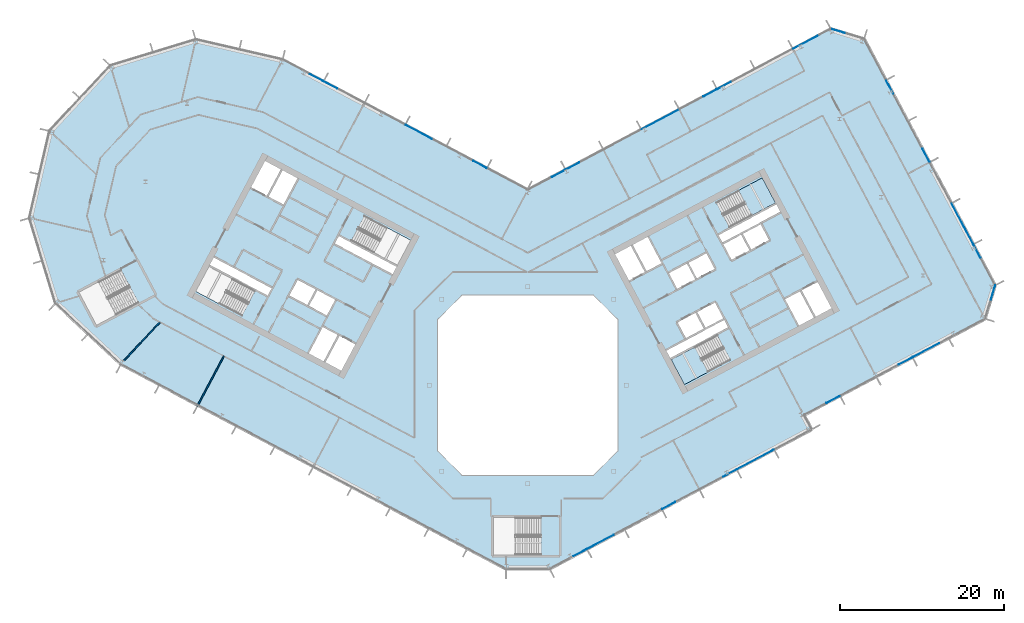
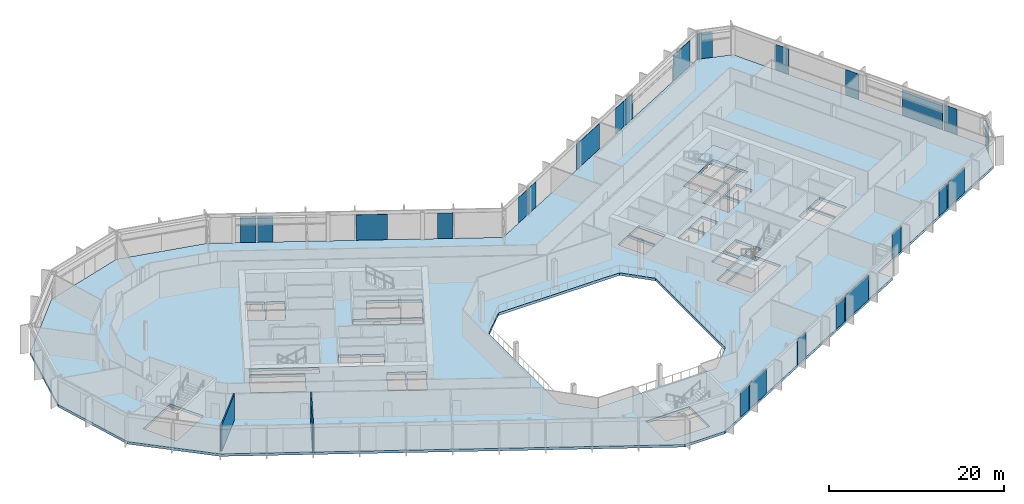
# One storey, part 12 of 28: 24 plates, 3 slabs, 2 walls, 9 elements without a shape of their own.
"""IFC4 building model written with IfcOpenShell, lengths in metres."""

from ifc_helpers import new_model, si_unit, direction, frame, frame_2d, origin, origin_2d, place, context, subcontext, project, spatial, polyline, rectangle, outline, extrude, material, layer, layer_set, type_object, element, aggregate, save


model = new_model("IFC4")

# Units and contexts
model_context = context("Model", 3, precision=1e-05, world=origin(), true_north=direction((0.0, 1.0)))
body_context = subcontext(model_context, "Body", "Model", "MODEL_VIEW")
ifc_project = project(units=[si_unit("LENGTHUNIT", "METRE"), si_unit("AREAUNIT", "SQUARE_METRE"), si_unit("VOLUMEUNIT", "CUBIC_METRE"), si_unit("PLANEANGLEUNIT", "RADIAN"), si_unit("MASSUNIT", "GRAM", prefix="KILO")], contexts=[model_context])

# Site, building, storey
site_placement = place(None, origin())
site = spatial("IfcSite", under=ifc_project, at=site_placement, CompositionType="ELEMENT")
building_placement = place(site_placement, origin())
building = spatial("IfcBuilding", under=site, at=building_placement, Name="Cormorant Relay Tower", CompositionType="ELEMENT")
storey_placement = place(building_placement, frame((0.0, 0.0, 138.199951171875)))
storey = spatial("IfcBuildingStorey", under=building, at=storey_placement, Name="L28", CompositionType="ELEMENT", Elevation=138.199951171875)

# Curtain wall, plates
ifc_material_1 = material(Name="Aluminium 6063-T6 anodised bronze", Category="aluminium")
ifc_layer_1 = layer(ifc_material_1, 0.199951171875)
ifc_layer_set_1 = layer_set([ifc_layer_1], Name="CW1 unitised bronze curtain wall with vertical fins")
curtain_wall_type = type_object("IfcCurtainWallType", Name="CW1 unitised bronze curtain wall with vertical fins", PredefinedType="NOTDEFINED", material=ifc_layer_set_1)
curtain_wall_1_placement = place(storey_placement, origin())
curtain_wall_1 = element("IfcCurtainWall", 1, at=curtain_wall_1_placement, inside=storey, type_object=curtain_wall_type, Name="CW1 curtain wall 2", PredefinedType="NOTDEFINED")
ifc_material_2 = material(Name="Tinted laminated glass", Category="glass")
ifc_layer_2 = layer(ifc_material_2, 0.0400390625)
ifc_layer_set_2 = layer_set([ifc_layer_2], Name="CW1 tinted vision panel 1800 module")
plate_type_1 = type_object("IfcPlateType", Name="CW1 tinted vision panel 1800 module", PredefinedType="CURTAIN_PANEL", material=ifc_layer_set_2)
plate_1_placement = place(storey_placement, frame((6.359130859375, -20.42529296875, 0.0), z_axis=(0.0, 0.0, 1.0), x_axis=(0.882947592859, 0.469471562786, 0.0)))
plate_1 = element("IfcPlate", 2, at=plate_1_placement, type_object=plate_type_1, Name="CW1 panel V01", PredefinedType="CURTAIN_PANEL", context=body_context, shape_type="SweptSolid", body=[
    extrude(rectangle(XDim=1.800048828125, YDim=0.0400390625, at=origin_2d()), origin(), (0.0, 0.0, 1.0), 3.550048828125),
])
plate_2_placement = place(storey_placement, frame((17.20458984375, -14.65869140625, 0.0), z_axis=(0.0, 0.0, 1.0), x_axis=(0.882947592859, 0.469471562786, 0.0)))
plate_2 = element("IfcPlate", 3, at=plate_2_placement, type_object=plate_type_1, Name="CW1 panel V04", PredefinedType="CURTAIN_PANEL", context=body_context, shape_type="SweptSolid", body=[
    extrude(rectangle(XDim=1.800048828125, YDim=0.0400390625, at=origin_2d()), origin(), (0.0, 0.0, 1.0), 3.550048828125),
])
plate_3_placement = place(storey_placement, frame((24.6064453125, -10.72314453125, 0.0), z_axis=(0.0, 0.0, 1.0), x_axis=(0.882947592859, 0.469471562786, 0.0)))
plate_3 = element("IfcPlate", 4, at=plate_3_placement, type_object=plate_type_1, Name="CW1 panel V06", PredefinedType="CURTAIN_PANEL", context=body_context, shape_type="SweptSolid", body=[
    extrude(rectangle(XDim=1.800048828125, YDim=0.0400390625, at=origin_2d()), origin(), (0.0, 0.0, 1.0), 3.550048828125),
])

curtain_wall_2_placement = place(storey_placement, origin())
curtain_wall_2 = element("IfcCurtainWall", 5, at=curtain_wall_2_placement, inside=storey, type_object=curtain_wall_type, Name="CW1 curtain wall 4", PredefinedType="NOTDEFINED")
plate_4_placement = place(storey_placement, frame((37.205810546875, -1.7587890625, 0.0), z_axis=(0.0, 0.0, 1.0), x_axis=(0.882947592859, 0.469471562786, 0.0)))
plate_4 = element("IfcPlate", 6, at=plate_4_placement, type_object=plate_type_1, Name="CW1 panel V01", PredefinedType="CURTAIN_PANEL", context=body_context, shape_type="SweptSolid", body=[
    extrude(rectangle(XDim=1.800048828125, YDim=0.0400390625, at=origin_2d()), origin(), (0.0, 0.0, 1.0), 3.550048828125),
])
plate_5_placement = place(storey_placement, frame((46.03515625, 2.935791015625, 0.0), z_axis=(0.0, 0.0, 1.0), x_axis=(0.882947592859, 0.469471562786, 0.0)))
plate_5 = element("IfcPlate", 7, at=plate_5_placement, type_object=plate_type_1, Name="CW1 panel V03", PredefinedType="CURTAIN_PANEL", context=body_context, shape_type="SweptSolid", body=[
    extrude(rectangle(XDim=1.800048828125, YDim=0.0400390625, at=origin_2d()), origin(), (0.0, 0.0, 1.0), 3.550048828125),
])

# Curtain wall, plate
curtain_wall_3_placement = place(storey_placement, origin())
curtain_wall_3 = element("IfcCurtainWall", 8, at=curtain_wall_3_placement, inside=storey, type_object=curtain_wall_type, Name="CW1 curtain wall 5", PredefinedType="NOTDEFINED")
plate_6_placement = place(storey_placement, frame((56.712646484375, 11.296630859375, 0.0), z_axis=(0.0, 0.0, 1.0), x_axis=(0.292371704723, 0.956304755963, 0.0)))
plate_6 = element("IfcPlate", 9, at=plate_6_placement, type_object=plate_type_1, Name="CW1 panel V01", PredefinedType="CURTAIN_PANEL", context=body_context, shape_type="SweptSolid", body=[
    extrude(rectangle(XDim=1.800048828125, YDim=0.0400390625, at=origin_2d()), origin(), (0.0, 0.0, 1.0), 3.550048828125),
])
aggregate(curtain_wall_3, [plate_6])

# Curtain wall, plates
curtain_wall_4_placement = place(storey_placement, origin())
curtain_wall_4 = element("IfcCurtainWall", 10, at=curtain_wall_4_placement, inside=storey, type_object=curtain_wall_type, Name="CW1 curtain wall 6", PredefinedType="NOTDEFINED")
plate_7_placement = place(storey_placement, frame((54.771728515625, 16.315185546875, 0.0), z_axis=(0.0, 0.0, 1.0), x_axis=(-0.469471562786, 0.882947592859, 0.0)))
plate_7 = element("IfcPlate", 11, at=plate_7_placement, type_object=plate_type_1, Name="CW1 panel V01", PredefinedType="CURTAIN_PANEL", context=body_context, shape_type="SweptSolid", body=[
    extrude(rectangle(XDim=1.800048828125, YDim=0.0400390625, at=origin_2d()), origin(), (0.0, 0.0, 1.0), 3.550048828125),
])
plate_8_placement = place(storey_placement, frame((48.535400390625, 28.043701171875, 0.0), z_axis=(0.0, 0.0, 1.0), x_axis=(-0.469471562786, 0.882947592859, 0.0)))
plate_8 = element("IfcPlate", 12, at=plate_8_placement, type_object=plate_type_1, Name="CW1 panel V04", PredefinedType="CURTAIN_PANEL", context=body_context, shape_type="SweptSolid", body=[
    extrude(rectangle(XDim=1.800048828125, YDim=0.0400390625, at=origin_2d()), origin(), (0.0, 0.0, 1.0), 3.550048828125),
])
plate_9_placement = place(storey_placement, frame((44.13037109375, 36.32861328125, 0.0), z_axis=(0.0, 0.0, 1.0), x_axis=(-0.469471562786, 0.882947592859, 0.0)))
plate_9 = element("IfcPlate", 13, at=plate_9_placement, type_object=plate_type_1, Name="CW1 panel V06", PredefinedType="CURTAIN_PANEL", context=body_context, shape_type="SweptSolid", body=[
    extrude(rectangle(XDim=1.800048828125, YDim=0.0400390625, at=origin_2d()), origin(), (0.0, 0.0, 1.0), 3.550048828125),
])

# Curtain wall, plate
curtain_wall_5_placement = place(storey_placement, origin())
curtain_wall_5 = element("IfcCurtainWall", 14, at=curtain_wall_5_placement, inside=storey, type_object=curtain_wall_type, Name="CW1 curtain wall 7", PredefinedType="NOTDEFINED")
plate_10_placement = place(storey_placement, frame((37.8037109375, 43.179931640625, 0.0), z_axis=(0.0, 0.0, 1.0), x_axis=(-0.956304755963, 0.292371704723, 0.0)))
plate_10 = element("IfcPlate", 15, at=plate_10_placement, type_object=plate_type_1, Name="CW1 panel V01", PredefinedType="CURTAIN_PANEL", context=body_context, shape_type="SweptSolid", body=[
    extrude(rectangle(XDim=1.800048828125, YDim=0.0400390625, at=origin_2d()), origin(), (0.0, 0.0, 1.0), 3.550048828125),
])
aggregate(curtain_wall_5, [plate_10])

# Curtain wall, plates
curtain_wall_6_placement = place(storey_placement, origin())
curtain_wall_6 = element("IfcCurtainWall", 16, at=curtain_wall_6_placement, inside=storey, type_object=curtain_wall_type, Name="CW1 curtain wall 8", PredefinedType="NOTDEFINED")
plate_11_placement = place(storey_placement, frame((23.937255859375, 36.5341796875, 0.0), z_axis=(0.0, 0.0, 1.0), x_axis=(-0.882947592859, -0.469471562786, 0.0)))
plate_11 = element("IfcPlate", 17, at=plate_11_placement, type_object=plate_type_1, Name="CW1 panel V03", PredefinedType="CURTAIN_PANEL", context=body_context, shape_type="SweptSolid", body=[
    extrude(rectangle(XDim=1.800048828125, YDim=0.0400390625, at=origin_2d()), origin(), (0.0, 0.0, 1.0), 3.550048828125),
])
plate_12_placement = place(storey_placement, frame((22.215576171875, 35.618896484375, 0.0), z_axis=(0.0, 0.0, 1.0), x_axis=(-0.882947592859, -0.469471562786, 0.0)))
plate_12 = element("IfcPlate", 18, at=plate_12_placement, type_object=plate_type_1, Name="CW1 panel V04", PredefinedType="CURTAIN_PANEL", context=body_context, shape_type="SweptSolid", body=[
    extrude(rectangle(XDim=1.800048828125, YDim=0.0400390625, at=origin_2d()), origin(), (0.0, 0.0, 1.0), 3.550048828125),
])
plate_13_placement = place(storey_placement, frame((5.468505859375, 26.71435546875, 0.0), z_axis=(0.0, 0.0, 1.0), x_axis=(-0.882947592859, -0.469471562786, 0.0)))
plate_13 = element("IfcPlate", 19, at=plate_13_placement, type_object=plate_type_1, Name="CW1 panel V08", PredefinedType="CURTAIN_PANEL", context=body_context, shape_type="SweptSolid", body=[
    extrude(rectangle(XDim=1.800048828125, YDim=0.0400390625, at=origin_2d()), origin(), (0.0, 0.0, 1.0), 3.550048828125),
])
plate_14_placement = place(storey_placement, frame((3.746826171875, 25.798828125, 0.0), z_axis=(0.0, 0.0, 1.0), x_axis=(-0.882947592859, -0.469471562786, 0.0)))
plate_14 = element("IfcPlate", 20, at=plate_14_placement, type_object=plate_type_1, Name="CW1 panel V09", PredefinedType="CURTAIN_PANEL", context=body_context, shape_type="SweptSolid", body=[
    extrude(rectangle(XDim=1.800048828125, YDim=0.0400390625, at=origin_2d()), origin(), (0.0, 0.0, 1.0), 3.550048828125),
])

curtain_wall_7_placement = place(storey_placement, origin())
curtain_wall_7 = element("IfcCurtainWall", 21, at=curtain_wall_7_placement, inside=storey, type_object=curtain_wall_type, Name="CW1 curtain wall 9", PredefinedType="NOTDEFINED")
plate_15_placement = place(storey_placement, frame((-5.830322265625, 26.90673828125, 0.0), z_axis=(0.0, 0.0, 1.0), x_axis=(-0.882947592859, 0.469471562786, 0.0)))
plate_15 = element("IfcPlate", 22, at=plate_15_placement, type_object=plate_type_1, Name="CW1 panel V01", PredefinedType="CURTAIN_PANEL", context=body_context, shape_type="SweptSolid", body=[
    extrude(rectangle(XDim=1.800048828125, YDim=0.0400390625, at=origin_2d()), origin(), (0.0, 0.0, 1.0), 3.550048828125),
])
plate_16_placement = place(storey_placement, frame((-24.0244140625, 36.580810546875, 0.0), z_axis=(0.0, 0.0, 1.0), x_axis=(-0.882947592859, 0.469471562786, 0.0)))
plate_16 = element("IfcPlate", 23, at=plate_16_placement, type_object=plate_type_1, Name="CW1 panel V05", PredefinedType="CURTAIN_PANEL", context=body_context, shape_type="SweptSolid", body=[
    extrude(rectangle(XDim=1.800048828125, YDim=0.0400390625, at=origin_2d()), origin(), (0.0, 0.0, 1.0), 3.550048828125),
])
plate_17_placement = place(storey_placement, frame((-25.746337890625, 37.49609375, 0.0), z_axis=(0.0, 0.0, 1.0), x_axis=(-0.882947592859, 0.469471562786, 0.0)))
plate_17 = element("IfcPlate", 24, at=plate_17_placement, type_object=plate_type_1, Name="CW1 panel V06", PredefinedType="CURTAIN_PANEL", context=body_context, shape_type="SweptSolid", body=[
    extrude(rectangle(XDim=1.800048828125, YDim=0.0400390625, at=origin_2d()), origin(), (0.0, 0.0, 1.0), 3.550048828125),
])

# Plate
ifc_material_3 = material(Name="Tinted laminated glass", Category="glass")
ifc_layer_3 = layer(ifc_material_3, 0.0400390625)
ifc_layer_set_3 = layer_set([ifc_layer_3], Name="CW1 tinted vision panel 3600 module")
plate_type_2 = type_object("IfcPlateType", Name="CW1 tinted vision panel 3600 module", PredefinedType="CURTAIN_PANEL", material=ifc_layer_set_3)
plate_18_placement = place(storey_placement, frame((8.87548828125, -19.08740234375, 0.0), z_axis=(0.0, 0.0, 1.0), x_axis=(0.882947592859, 0.469471562786, 0.0)))
plate_18 = element("IfcPlate", 25, at=plate_18_placement, type_object=plate_type_2, Name="CW1 panel V02", PredefinedType="CURTAIN_PANEL", context=body_context, shape_type="SweptSolid", body=[
    extrude(rectangle(XDim=3.60009765625, YDim=0.0400390625, at=origin_2d()), origin(), (0.0, 0.0, 1.0), 3.550048828125),
])

plate_19_placement = place(storey_placement, frame((48.551513671875, 4.27392578125, 0.0), z_axis=(0.0, 0.0, 1.0), x_axis=(0.882947592859, 0.469471562786, 0.0)))
plate_19 = element("IfcPlate", 26, at=plate_19_placement, type_object=plate_type_2, Name="CW1 panel V04", PredefinedType="CURTAIN_PANEL", context=body_context, shape_type="SweptSolid", body=[
    extrude(rectangle(XDim=3.60009765625, YDim=0.0400390625, at=origin_2d()), origin(), (0.0, 0.0, 1.0), 3.550048828125),
])

aggregate(curtain_wall_2, [plate_4, plate_5, plate_19])

plate_20_placement = place(storey_placement, frame((33.96630859375, 41.86669921875, 0.0), z_axis=(0.0, 0.0, 1.0), x_axis=(-0.882947592859, -0.469471562786, 0.0)))
plate_20 = element("IfcPlate", 27, at=plate_20_placement, type_object=plate_type_2, Name="CW1 panel V01", PredefinedType="CURTAIN_PANEL", context=body_context, shape_type="SweptSolid", body=[
    extrude(rectangle(XDim=3.60009765625, YDim=0.0400390625, at=origin_2d()), origin(), (0.0, 0.0, 1.0), 3.550048828125),
])

plate_21_placement = place(storey_placement, frame((-13.27197265625, 30.86328125, 0.0), z_axis=(0.0, 0.0, 1.0), x_axis=(-0.882947592859, 0.469471562786, 0.0)))
plate_21 = element("IfcPlate", 28, at=plate_21_placement, type_object=plate_type_2, Name="CW1 panel V03", PredefinedType="CURTAIN_PANEL", context=body_context, shape_type="SweptSolid", body=[
    extrude(rectangle(XDim=3.60009765625, YDim=0.0400390625, at=origin_2d()), origin(), (0.0, 0.0, 1.0), 3.550048828125),
])

aggregate(curtain_wall_7, [plate_15, plate_21, plate_16, plate_17])

ifc_material_4 = material(Name="Tinted laminated glass", Category="glass")
ifc_layer_4 = layer(ifc_material_4, 0.0400390625)
ifc_layer_set_4 = layer_set([ifc_layer_4], Name="CW1 tinted vision panel 5400 module")
plate_type_3 = type_object("IfcPlateType", Name="CW1 tinted vision panel 5400 module", PredefinedType="CURTAIN_PANEL", material=ifc_layer_set_4)
plate_22_placement = place(storey_placement, frame((27.748046875, -9.052734375, 0.0), z_axis=(0.0, 0.0, 1.0), x_axis=(0.882947592859, 0.469471562786, 0.0)))
plate_22 = element("IfcPlate", 29, at=plate_22_placement, type_object=plate_type_3, Name="CW1 panel V07", PredefinedType="CURTAIN_PANEL", context=body_context, shape_type="SweptSolid", body=[
    extrude(rectangle(XDim=5.0166015625, YDim=0.0400390625, at=origin_2d()), origin(), (0.0, 0.0, 1.0), 3.550048828125),
])

aggregate(curtain_wall_1, [plate_1, plate_18, plate_2, plate_3, plate_22])

plate_23_placement = place(storey_placement, frame((52.98388671875, 19.677734375, 0.0), z_axis=(0.0, 0.0, 1.0), x_axis=(-0.469471562786, 0.882947592859, 0.0)))
plate_23 = element("IfcPlate", 30, at=plate_23_placement, type_object=plate_type_3, Name="CW1 panel V02", PredefinedType="CURTAIN_PANEL", context=body_context, shape_type="SweptSolid", body=[
    extrude(rectangle(XDim=5.5166015625, YDim=0.0400390625, at=origin_2d()), origin(), (0.0, 0.0, 1.0), 3.550048828125),
])

aggregate(curtain_wall_4, [plate_7, plate_23, plate_8, plate_9])

plate_24_placement = place(storey_placement, frame((16.150634765625, 32.39404296875, 0.0), z_axis=(0.0, 0.0, 1.0), x_axis=(-0.882947592859, -0.469471562786, 0.0)))
plate_24 = element("IfcPlate", 31, at=plate_24_placement, type_object=plate_type_3, Name="CW1 panel V06", PredefinedType="CURTAIN_PANEL", context=body_context, shape_type="SweptSolid", body=[
    extrude(rectangle(XDim=5.079345703125, YDim=0.0400390625, at=origin_2d()), origin(), (0.0, 0.0, 1.0), 3.550048828125),
])

aggregate(curtain_wall_6, [plate_20, plate_11, plate_12, plate_24, plate_13, plate_14])

# Stair, slab
ifc_material_5 = material(Name="Concrete 40 MPa", Category="concrete")
stair_type = type_object("IfcStairType", Name="Exit stair 1500", PredefinedType="HALF_TURN_STAIR", material=ifc_material_5)
stair_1_placement = place(storey_placement, origin())
stair_1 = element("IfcStair", 32, at=stair_1_placement, inside=storey, type_object=stair_type, Name="L28 Stair", PredefinedType="HALF_TURN_STAIR")
ifc_material_6 = material(Name="Concrete 40 MPa", Category="concrete")
ifc_layer_5 = layer(ifc_material_6, 0.199951171875)
ifc_layer_set_5 = layer_set([ifc_layer_5], Name="Exit stair landing 200")
slab_type_1 = type_object("IfcSlabType", Name="Exit stair landing 200", PredefinedType="LANDING", material=ifc_layer_set_5)
slab_1_placement = place(storey_placement, frame((0.0, 0.0, 1.800048828125)))
slab_1 = element("IfcSlab", 33, at=slab_1_placement, type_object=slab_type_1, Name="B1 landing 1", PredefinedType="LANDING", context=body_context, shape_type="SweptSolid", body=[
    extrude(outline(polyline([(20.36767578125, 4.6572265625), (17.48046875, 3.1220703125), (19.10009765625, 0.075927734375), (21.9873046875, 1.611083984375), (20.36767578125, 4.6572265625)])), origin(), (0.0, 0.0, 1.0), 0.199951171875),
])
aggregate(stair_1, [slab_1])

stair_2_placement = place(storey_placement, origin())
stair_2 = element("IfcStair", 34, at=stair_2_placement, inside=storey, type_object=stair_type, Name="L28 Stair", PredefinedType="HALF_TURN_STAIR")
slab_2_placement = place(storey_placement, frame((0.0, 0.0, 1.800048828125)))
slab_2 = element("IfcSlab", 35, at=slab_2_placement, type_object=slab_type_1, Name="B2 landing 1", PredefinedType="LANDING", context=body_context, shape_type="SweptSolid", body=[
    extrude(outline(polyline([(27.3115234375, 20.6943359375), (30.19873046875, 22.2294921875), (28.5791015625, 25.275634765625), (25.69189453125, 23.740478515625), (27.3115234375, 20.6943359375)])), origin(), (0.0, 0.0, 1.0), 0.199951171875),
])
aggregate(stair_2, [slab_2])

# Slab
ifc_material_7 = material(Name="Concrete 40 MPa", Category="concrete")
ifc_layer_6 = layer(ifc_material_7, 0.360107421875)
ifc_layer_set_6 = layer_set([ifc_layer_6], Name="Flat plate 360")
slab_type_2 = type_object("IfcSlabType", Name="Flat plate 360", PredefinedType="FLOOR", material=ifc_layer_set_6)
slab_3_placement = place(storey_placement, frame((0.0, 0.0, -0.35986328125)))
element("IfcSlab", 36, at=slab_3_placement, inside=storey, type_object=slab_type_2, Name="Floor slab L28", PredefinedType="FLOOR", context=body_context, shape_type="SweptSolid", body=[
    extrude(outline(polyline([(-60.7197265625, 20.393310546875), (-58.2744140625, 30.985107421875), (-50.86083984375, 38.935302734375), (-40.465576171875, 42.11328125), (-29.873779296875, 39.668212890625), (0.0, 23.783935546875), (36.937255859375, 43.423828125), (40.99462890625, 42.18359375), (56.95654296875, 12.1630859375), (55.71630859375, 8.10595703125), (33.642578125, -3.630859375), (34.581298828125, -5.396728515625), (2.648681640625, -22.37548828125), (-2.648681640625, -22.37548828125), (-49.591552734375, 2.584228515625), (-57.541748046875, 9.997802734375), (-60.7197265625, 20.393310546875)]), holes=[polyline([(11.0, -8.0), (11.0, 8.0), (8.0, 11.0), (-8.0, 11.0), (-11.0, 8.0), (-11.0, -8.0), (-8.0, -11.0), (8.0, -11.0), (11.0, -8.0)]), polyline([(-4.199951171875, -16.125), (-4.199951171875, -20.675048828125), (1.60009765625, -20.675048828125), (1.60009765625, -16.125), (-4.199951171875, -16.125)]), polyline([(-22.95458984375, 6.03271484375), (-24.668212890625, 2.81005859375), (-22.725830078125, 1.777099609375), (-21.01220703125, 5.0), (-23.04296875, 6.07958984375), (-22.95458984375, 6.03271484375)]), polyline([(-24.985595703125, 7.112548828125), (-26.69921875, 3.889892578125), (-24.844970703125, 2.90380859375), (-23.13134765625, 6.126708984375), (-23.04296875, 6.07958984375), (-24.985595703125, 7.112548828125)]), polyline([(-26.688720703125, 9.660400390625), (-24.481201171875, 8.48681640625), (-23.448486328125, 10.42919921875), (-25.656005859375, 11.602783203125), (-26.688720703125, 9.660400390625)]), polyline([(-49.57861328125, 14.0537109375), (-54.69970703125, 11.330810546875), (-52.563720703125, 7.3134765625), (-47.442626953125, 10.036376953125), (-49.57861328125, 14.0537109375)]), polyline([(-28.039794921875, 12.870361328125), (-29.07275390625, 10.927978515625), (-26.865234375, 9.75439453125), (-25.83251953125, 11.69677734375), (-28.039794921875, 12.870361328125)]), polyline([(-38.847900390625, 14.483154296875), (-40.46728515625, 11.43701171875), (-34.860595703125, 8.455810546875), (-33.240966796875, 11.502197265625), (-38.847900390625, 14.483154296875)]), polyline([(-38.260986328125, 15.5869140625), (-38.75390625, 14.659912109375), (-31.690185546875, 10.904052734375), (-31.197265625, 11.8310546875), (-38.260986328125, 15.5869140625)]), polyline([(14.3056640625, 13.779052734375), (12.592041015625, 17.001708984375), (10.649658203125, 15.968994140625), (12.36328125, 12.74609375), (14.39404296875, 13.825927734375), (14.3056640625, 13.779052734375)]), polyline([(16.33642578125, 14.85888671875), (14.622802734375, 18.08154296875), (12.768798828125, 17.095703125), (14.482421875, 13.872802734375), (14.39404296875, 13.825927734375), (16.33642578125, 14.85888671875)]), polyline([(-16.481689453125, 13.520263671875), (-15.989013671875, 14.447509765625), (-23.052490234375, 18.203125), (-23.54541015625, 17.276123046875), (-16.481689453125, 13.520263671875)]), polyline([(-21.501708984375, 17.605224609375), (-15.89501953125, 14.6240234375), (-14.275390625, 17.670166015625), (-19.882080078125, 20.6513671875), (-21.501708984375, 17.605224609375)]), polyline([(-31.611572265625, 22.980712890625), (-29.75732421875, 21.99462890625), (-28.043701171875, 25.217529296875), (-29.89794921875, 26.203369140625), (-31.611572265625, 22.980712890625)]), polyline([(-32.01708984375, 27.330078125), (-33.73046875, 24.107421875), (-31.7880859375, 23.074462890625), (-30.074462890625, 26.29736328125), (-32.01708984375, 27.330078125)]), polyline([(17.48046875, 3.1220703125), (19.10009765625, 0.07568359375), (24.706787109375, 3.056884765625), (23.087158203125, 6.10302734375), (17.48046875, 3.1220703125)]), polyline([(16.8935546875, 4.2255859375), (17.386474609375, 3.298583984375), (24.4501953125, 7.054443359375), (23.957275390625, 7.9814453125), (16.8935546875, 4.2255859375)]), polyline([(20.446533203125, 8.8330078125), (18.239013671875, 7.6591796875), (19.27197265625, 5.716796875), (21.479248046875, 6.890380859375), (20.446533203125, 8.8330078125)]), polyline([(20.623046875, 8.927001953125), (21.656005859375, 6.984375), (23.86328125, 8.158203125), (22.830322265625, 10.1005859375), (20.623046875, 8.927001953125)]), polyline([(33.197021484375, 11.478515625), (31.3427734375, 10.49267578125), (33.056396484375, 7.27001953125), (34.910400390625, 8.255859375), (33.197021484375, 11.478515625)]), polyline([(33.37353515625, 11.572509765625), (35.087158203125, 8.349609375), (37.029541015625, 9.382568359375), (35.31591796875, 12.605224609375), (33.37353515625, 11.572509765625)]), polyline([(17.19384765625, 13.67236328125), (18.2265625, 11.72998046875), (20.43408203125, 12.903564453125), (19.401123046875, 14.84619140625), (17.19384765625, 13.67236328125)]), polyline([(20.610595703125, 12.99755859375), (22.81787109375, 14.171142578125), (21.78515625, 16.113525390625), (19.57763671875, 14.93994140625), (20.610595703125, 12.99755859375)]), polyline([(26.023193359375, 18.3671875), (23.81591796875, 17.193359375), (24.8486328125, 15.2509765625), (27.05615234375, 16.424560546875), (26.023193359375, 18.3671875)]), polyline([(29.440185546875, 17.692138671875), (28.4072265625, 19.634765625), (26.19970703125, 18.4609375), (27.232666015625, 16.5185546875), (29.440185546875, 17.692138671875)]), polyline([(30.78564453125, 21.125732421875), (30.29248046875, 22.052978515625), (23.22900390625, 18.297119140625), (23.721923828125, 17.3701171875), (30.78564453125, 21.125732421875)]), polyline([(24.592041015625, 19.248291015625), (30.19873046875, 22.2294921875), (28.5791015625, 25.275634765625), (22.972412109375, 22.29443359375), (24.592041015625, 19.248291015625)])]), origin(), (0.0, 0.0, 1.0), 0.35986328125),
])

# Walls
ifc_material_8 = material(Name="Gypsum board partition")
ifc_layer_7 = layer(ifc_material_8, 0.14990234375)
ifc_layer_set_7 = layer_set([ifc_layer_7], Name="Tenant partition 150")
wall_type = type_object("IfcWallType", Name="Tenant partition 150", PredefinedType="PARTITIONING", material=ifc_layer_set_7)
wall_1_placement = place(storey_placement, frame((-44.825927734375, 7.695068359375, 0.0), z_axis=(0.0, 0.0, 1.0), x_axis=(-0.681994231605, -0.731357551446, 0.0)))
element("IfcWall", 37, at=wall_1_placement, inside=storey, type_object=wall_type, Name="wall/L28/part/011", PredefinedType="PARTITIONING", context=body_context, shape_type="SweptSolid", body=[
    extrude(rectangle(XDim=6.4443359375, YDim=0.14990234375, at=frame_2d((3.22216796875, 0.0))), origin(), (0.0, 0.0, 1.0), 3.64013671875),
])
wall_2_placement = place(storey_placement, frame((-37.033935546875, 3.552001953125, 0.0), z_axis=(0.0, 0.0, 1.0), x_axis=(-0.469541311651, -0.882910503196, 0.0)))
element("IfcWall", 38, at=wall_2_placement, inside=storey, type_object=wall_type, Name="wall/L28/part/012", PredefinedType="PARTITIONING", context=body_context, shape_type="SweptSolid", body=[
    extrude(rectangle(XDim=6.94970703125, YDim=0.14990234375, at=frame_2d((3.474853515625, 0.0))), origin(), (0.0, 0.0, 1.0), 3.64013671875),
])

save(model, "model.ifc")
